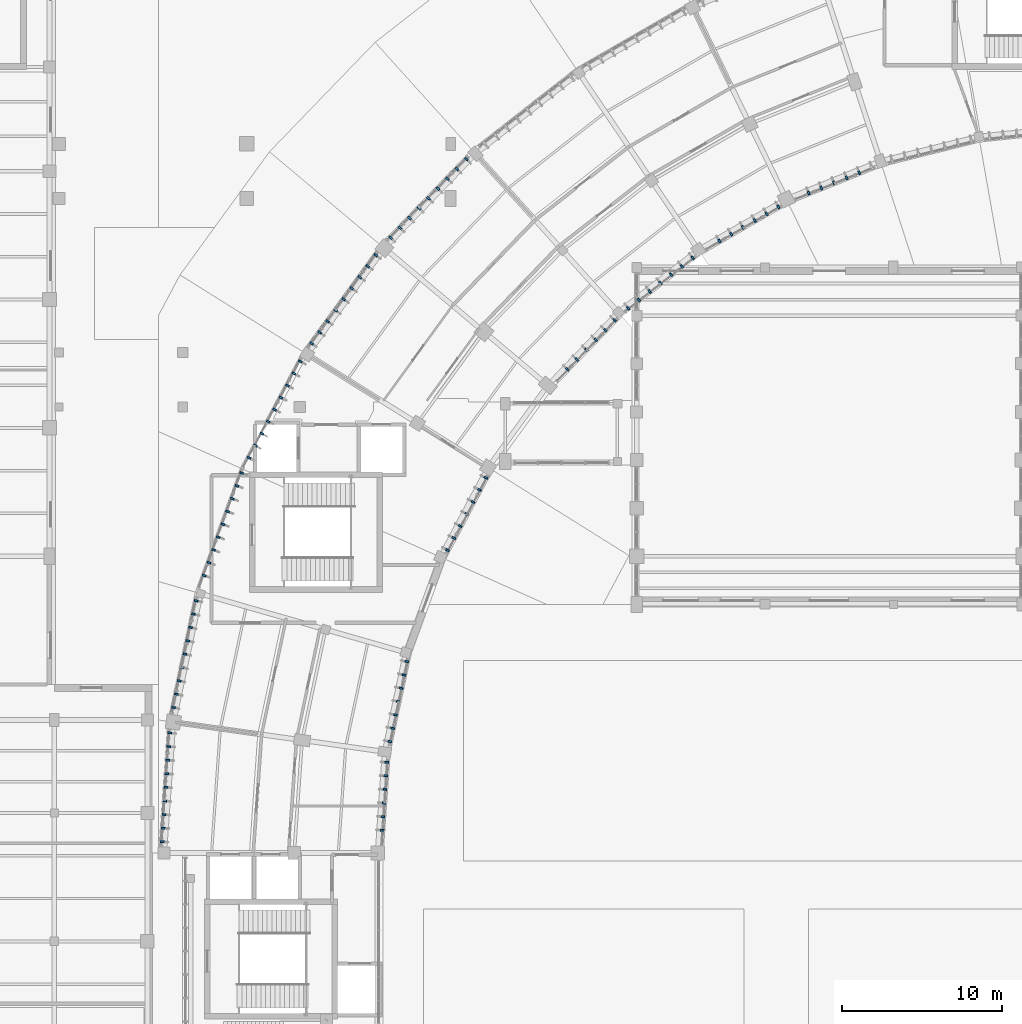
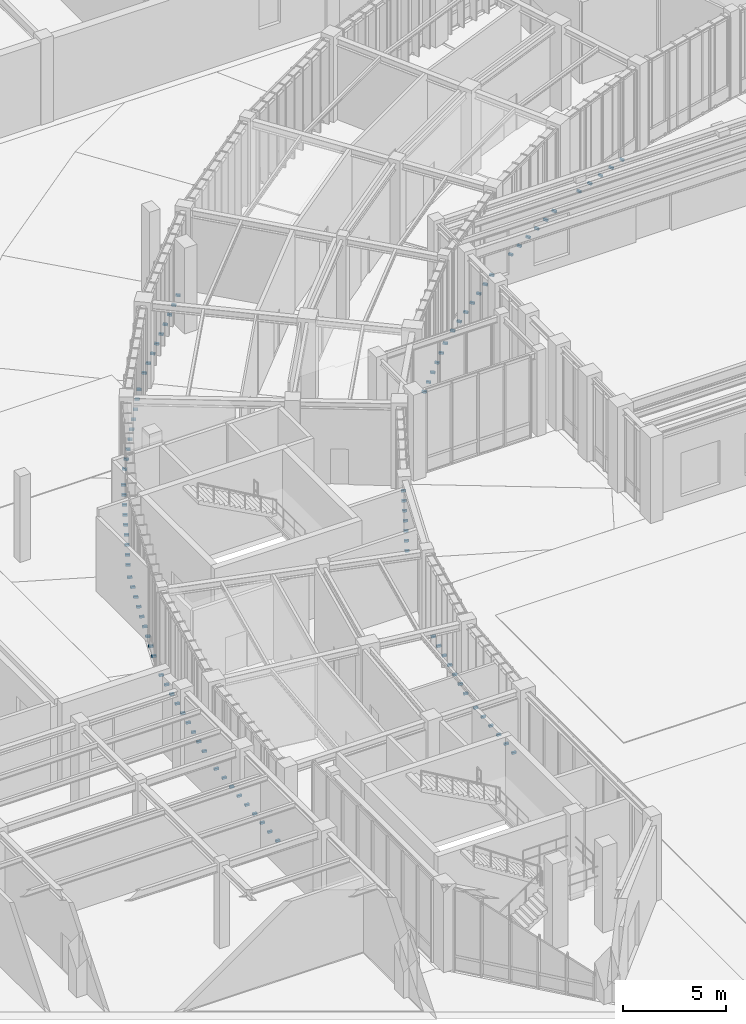
# One storey, part 52 of 68: 98 discrete accessories.
"""IFC4 building model written with IfcOpenShell, lengths in metres."""

from ifc_helpers import new_model, si_unit, direction, frame, origin, origin_2d, place, context, subcontext, project, spatial, rectangle, extrude, material, type_object, element, save


model = new_model("IFC4")

# Units and contexts
model_context = context("Model", 3, precision=1e-05, world=origin(), true_north=direction((0.0, 1.0)))
body_context = subcontext(model_context, "Body", "Model", "MODEL_VIEW")
ifc_project = project(units=[si_unit("LENGTHUNIT", "METRE"), si_unit("AREAUNIT", "SQUARE_METRE"), si_unit("VOLUMEUNIT", "CUBIC_METRE"), si_unit("PLANEANGLEUNIT", "RADIAN"), si_unit("MASSUNIT", "GRAM", prefix="KILO"), si_unit("THERMODYNAMICTEMPERATUREUNIT", "KELVIN"), si_unit("POWERUNIT", "WATT")], contexts=[model_context])

# Site, building, storey
site_placement = place(None, origin())
site = spatial("IfcSite", under=ifc_project, at=site_placement, CompositionType="ELEMENT")
building_placement = place(site_placement, origin())
building = spatial("IfcBuilding", under=site, at=building_placement, Name="Solvatero Civic Police Headquarters", CompositionType="ELEMENT")
storey_placement = place(building_placement, origin())
storey = spatial("IfcBuildingStorey", under=building, at=storey_placement, Name="L00", CompositionType="ELEMENT", Elevation=0.0)

# Discrete accessories
ifc_material = material(Name="Steel S355", Category="steel")
discrete_accessory_type = type_object("IfcDiscreteAccessoryType", Name="ACC-BRK-FIN", PredefinedType="BRACKET", material=ifc_material)
for number, where, z_axis, x_axis, name in (
    (1, (78.671875, 68.406005859375, 0.0), (0.0, 0.0, 1.0), (-0.927183854567, -0.374606593416, 0.0), "Slab-Edge Fin Bracket 0041"),
    (2, (77.8837890625, 68.08740234375, 0.0), (0.0, 0.0, 1.0), (-0.927183854567, -0.374606593416, 0.0), "Slab-Edge Fin Bracket 0042"),
    (3, (77.095703125, 67.76904296875, 0.0), (0.0, 0.0, 1.0), (-0.927183854567, -0.374606593416, 0.0), "Slab-Edge Fin Bracket 0043"),
    (4, (76.3076171875, 67.45068359375, 0.0), (0.0, 0.0, 1.0), (-0.927183854567, -0.374606593416, 0.0), "Slab-Edge Fin Bracket 0044"),
    (5, (75.519287109375, 67.13232421875, 0.0), (0.0, 0.0, 1.0), (-0.927183854567, -0.374606593416, 0.0), "Slab-Edge Fin Bracket 0045"),
    (6, (73.6337890625, 66.2724609375, 0.0), (0.0, 0.0, 1.0), (-0.866025403784, -0.5, 0.0), "Slab-Edge Fin Bracket 0055"),
    (7, (72.897705078125, 65.847412109375, 0.0), (0.0, 0.0, 1.0), (-0.866025403784, -0.5, 0.0), "Slab-Edge Fin Bracket 0056"),
    (8, (72.161376953125, 65.422607421875, 0.0), (0.0, 0.0, 1.0), (-0.866025403784, -0.5, 0.0), "Slab-Edge Fin Bracket 0057"),
    (9, (71.42529296875, 64.99755859375, 0.0), (0.0, 0.0, 1.0), (-0.866025403784, -0.5, 0.0), "Slab-Edge Fin Bracket 0058"),
    (10, (70.689208984375, 64.572509765625, 0.0), (0.0, 0.0, 1.0), (-0.866025403784, -0.5, 0.0), "Slab-Edge Fin Bracket 0059"),
    (11, (69.953125, 64.1474609375, 0.0), (0.0, 0.0, 1.0), (-0.866025403784, -0.5, 0.0), "Slab-Edge Fin Bracket 0060"),
    (12, (68.2861328125, 63.09228515625, 0.0), (0.0, 0.0, 1.0), (-0.788010753607, -0.615661475326, 0.0), "Slab-Edge Fin Bracket 0070"),
    (13, (67.616455078125, 62.569091796875, 0.0), (0.0, 0.0, 1.0), (-0.788010753607, -0.615661475326, 0.0), "Slab-Edge Fin Bracket 0071"),
    (14, (66.946533203125, 62.045654296875, 0.0), (0.0, 0.0, 1.0), (-0.788010753607, -0.615661475326, 0.0), "Slab-Edge Fin Bracket 0072"),
    (15, (66.27685546875, 61.522216796875, 0.0), (0.0, 0.0, 1.0), (-0.788010753607, -0.615661475326, 0.0), "Slab-Edge Fin Bracket 0073"),
    (16, (65.60693359375, 60.9990234375, 0.0), (0.0, 0.0, 1.0), (-0.788010753607, -0.615661475326, 0.0), "Slab-Edge Fin Bracket 0074"),
    (17, (64.937255859375, 60.4755859375, 0.0), (0.0, 0.0, 1.0), (-0.788010753607, -0.615661475326, 0.0), "Slab-Edge Fin Bracket 0075"),
    (18, (64.267333984375, 59.952392578125, 0.0), (0.0, 0.0, 1.0), (-0.788010753607, -0.615661475326, 0.0), "Slab-Edge Fin Bracket 0076"),
    (19, (54.181884765625, 69.249755859375, 0.0), (0.0, 0.0, 1.0), (-0.694658370459, -0.719339800339, 0.0), "Slab-Edge Fin Bracket 0077"),
    (20, (53.59130859375, 68.63818359375, 0.0), (0.0, 0.0, 1.0), (-0.694658370459, -0.719339800339, 0.0), "Slab-Edge Fin Bracket 0078"),
    (21, (53.0009765625, 68.02685546875, 0.0), (0.0, 0.0, 1.0), (-0.694658370459, -0.719339800339, 0.0), "Slab-Edge Fin Bracket 0079"),
    (22, (52.410400390625, 67.415283203125, 0.0), (0.0, 0.0, 1.0), (-0.694658370459, -0.719339800339, 0.0), "Slab-Edge Fin Bracket 0080"),
    (23, (51.820068359375, 66.803955078125, 0.0), (0.0, 0.0, 1.0), (-0.694658370459, -0.719339800339, 0.0), "Slab-Edge Fin Bracket 0081"),
    (24, (51.2294921875, 66.1923828125, 0.0), (0.0, 0.0, 1.0), (-0.694658370459, -0.719339800339, 0.0), "Slab-Edge Fin Bracket 0082"),
    (25, (50.63916015625, 65.5810546875, 0.0), (0.0, 0.0, 1.0), (-0.694658370459, -0.719339800339, 0.0), "Slab-Edge Fin Bracket 0083"),
    (26, (50.048583984375, 64.969482421875, 0.0), (0.0, 0.0, 1.0), (-0.694658370459, -0.719339800339, 0.0), "Slab-Edge Fin Bracket 0084"),
    (27, (49.458251953125, 64.358154296875, 0.0), (0.0, 0.0, 1.0), (-0.694658370459, -0.719339800339, 0.0), "Slab-Edge Fin Bracket 0085"),
    (28, (63.42626953125, 59.20654296875, 0.0), (0.0, 0.0, 1.0), (-0.694658370459, -0.719339800339, 0.0), "Slab-Edge Fin Bracket 0086"),
    (29, (62.835693359375, 58.594970703125, 0.0), (0.0, 0.0, 1.0), (-0.694658370459, -0.719339800339, 0.0), "Slab-Edge Fin Bracket 0087"),
    (30, (62.245361328125, 57.983642578125, 0.0), (0.0, 0.0, 1.0), (-0.694658370459, -0.719339800339, 0.0), "Slab-Edge Fin Bracket 0088"),
    (31, (61.65478515625, 57.3720703125, 0.0), (0.0, 0.0, 1.0), (-0.694658370459, -0.719339800339, 0.0), "Slab-Edge Fin Bracket 0089"),
    (32, (61.064453125, 56.7607421875, 0.0), (0.0, 0.0, 1.0), (-0.694658370459, -0.719339800339, 0.0), "Slab-Edge Fin Bracket 0090"),
    (33, (60.473876953125, 56.1494140625, 0.0), (0.0, 0.0, 1.0), (-0.694658370459, -0.719339800339, 0.0), "Slab-Edge Fin Bracket 0091"),
    (34, (48.535400390625, 63.26708984375, 0.0), (0.0, 0.0, 1.0), (-0.587785252292, -0.809016994375, 0.0), "Slab-Edge Fin Bracket 0092"),
    (35, (48.035888671875, 62.579345703125, 0.0), (0.0, 0.0, 1.0), (-0.587785252292, -0.809016994375, 0.0), "Slab-Edge Fin Bracket 0093"),
    (36, (47.536376953125, 61.8916015625, 0.0), (0.0, 0.0, 1.0), (-0.587785252292, -0.809016994375, 0.0), "Slab-Edge Fin Bracket 0094"),
    (37, (47.03662109375, 61.2041015625, 0.0), (0.0, 0.0, 1.0), (-0.587785252292, -0.809016994375, 0.0), "Slab-Edge Fin Bracket 0095"),
    (38, (46.537109375, 60.516357421875, 0.0), (0.0, 0.0, 1.0), (-0.587785252292, -0.809016994375, 0.0), "Slab-Edge Fin Bracket 0096"),
    (39, (46.037353515625, 59.82861328125, 0.0), (0.0, 0.0, 1.0), (-0.587785252292, -0.809016994375, 0.0), "Slab-Edge Fin Bracket 0097"),
    (40, (45.537841796875, 59.14111328125, 0.0), (0.0, 0.0, 1.0), (-0.587785252292, -0.809016994375, 0.0), "Slab-Edge Fin Bracket 0098"),
    (41, (45.0380859375, 58.453369140625, 0.0), (0.0, 0.0, 1.0), (-0.587785252292, -0.809016994375, 0.0), "Slab-Edge Fin Bracket 0099"),
    (42, (44.53857421875, 57.765625, 0.0), (0.0, 0.0, 1.0), (-0.587785252292, -0.809016994375, 0.0), "Slab-Edge Fin Bracket 0100"),
    (43, (43.82666015625, 56.64306640625, 0.0), (0.0, 0.0, 1.0), (-0.469471562786, -0.882947592859, 0.0), "Slab-Edge Fin Bracket 0101"),
    (44, (43.427490234375, 55.892578125, 0.0), (0.0, 0.0, 1.0), (-0.469471562786, -0.882947592859, 0.0), "Slab-Edge Fin Bracket 0102"),
    (45, (43.0283203125, 55.14208984375, 0.0), (0.0, 0.0, 1.0), (-0.469471562786, -0.882947592859, 0.0), "Slab-Edge Fin Bracket 0103"),
    (46, (42.62939453125, 54.3916015625, 0.0), (0.0, 0.0, 1.0), (-0.469471562786, -0.882947592859, 0.0), "Slab-Edge Fin Bracket 0104"),
    (47, (42.230224609375, 53.64111328125, 0.0), (0.0, 0.0, 1.0), (-0.469471562786, -0.882947592859, 0.0), "Slab-Edge Fin Bracket 0105"),
    (48, (41.831298828125, 52.890625, 0.0), (0.0, 0.0, 1.0), (-0.469471562786, -0.882947592859, 0.0), "Slab-Edge Fin Bracket 0106"),
    (49, (41.43212890625, 52.14013671875, 0.0), (0.0, 0.0, 1.0), (-0.469471562786, -0.882947592859, 0.0), "Slab-Edge Fin Bracket 0107"),
    (50, (41.033203125, 51.3896484375, 0.0), (0.0, 0.0, 1.0), (-0.469471562786, -0.882947592859, 0.0), "Slab-Edge Fin Bracket 0108"),
    (51, (40.634033203125, 50.63916015625, 0.0), (0.0, 0.0, 1.0), (-0.469471562786, -0.882947592859, 0.0), "Slab-Edge Fin Bracket 0109"),
    (52, (55.39892578125, 49.38232421875, 0.0), (0.0, 0.0, 1.0), (-0.469486973057, -0.8829393989, 0.0), "Slab-Edge Fin Bracket 0110"),
    (53, (55.0, 48.6318359375, 0.0), (0.0, 0.0, 1.0), (-0.469486973057, -0.8829393989, 0.0), "Slab-Edge Fin Bracket 0111"),
    (54, (54.600830078125, 47.88134765625, 0.0), (0.0, 0.0, 1.0), (-0.469486973057, -0.8829393989, 0.0), "Slab-Edge Fin Bracket 0112"),
    (55, (54.201904296875, 47.130859375, 0.0), (0.0, 0.0, 1.0), (-0.469486973057, -0.8829393989, 0.0), "Slab-Edge Fin Bracket 0113"),
    (56, (53.802734375, 46.38037109375, 0.0), (0.0, 0.0, 1.0), (-0.469486973057, -0.8829393989, 0.0), "Slab-Edge Fin Bracket 0114"),
    (57, (53.40380859375, 45.6298828125, 0.0), (0.0, 0.0, 1.0), (-0.469486973057, -0.8829393989, 0.0), "Slab-Edge Fin Bracket 0115"),
    (58, (53.004638671875, 44.87939453125, 0.0), (0.0, 0.0, 1.0), (-0.469486973057, -0.8829393989, 0.0), "Slab-Edge Fin Bracket 0116"),
    (59, (40.16845703125, 49.687255859375, 0.0), (0.0, 0.0, 1.0), (-0.342003742543, -0.93969859002, 0.0), "Slab-Edge Fin Bracket 0117"),
    (60, (39.877685546875, 48.888427734375, 0.0), (0.0, 0.0, 1.0), (-0.342003742543, -0.93969859002, 0.0), "Slab-Edge Fin Bracket 0118"),
    (61, (39.587158203125, 48.08984375, 0.0), (0.0, 0.0, 1.0), (-0.342003742543, -0.93969859002, 0.0), "Slab-Edge Fin Bracket 0119"),
    (62, (39.29638671875, 47.291015625, 0.0), (0.0, 0.0, 1.0), (-0.342003742543, -0.93969859002, 0.0), "Slab-Edge Fin Bracket 0120"),
    (63, (39.005615234375, 46.4921875, 0.0), (0.0, 0.0, 1.0), (-0.342003742543, -0.93969859002, 0.0), "Slab-Edge Fin Bracket 0121"),
    (64, (38.71484375, 45.693603515625, 0.0), (0.0, 0.0, 1.0), (-0.342003742543, -0.93969859002, 0.0), "Slab-Edge Fin Bracket 0122"),
    (65, (38.42431640625, 44.894775390625, 0.0), (0.0, 0.0, 1.0), (-0.342003742543, -0.93969859002, 0.0), "Slab-Edge Fin Bracket 0123"),
    (66, (38.133544921875, 44.09619140625, 0.0), (0.0, 0.0, 1.0), (-0.342003742543, -0.93969859002, 0.0), "Slab-Edge Fin Bracket 0124"),
    (67, (37.8427734375, 43.29736328125, 0.0), (0.0, 0.0, 1.0), (-0.342003742543, -0.93969859002, 0.0), "Slab-Edge Fin Bracket 0125"),
    (68, (37.344482421875, 41.72412109375, 0.0), (0.0, 0.0, 1.0), (-0.207911690818, -0.978147600734, 0.0), "Slab-Edge Fin Bracket 0126"),
    (69, (37.16796875, 40.892578125, 0.0), (0.0, 0.0, 1.0), (-0.207911690818, -0.978147600734, 0.0), "Slab-Edge Fin Bracket 0127"),
    (70, (36.9912109375, 40.061279296875, 0.0), (0.0, 0.0, 1.0), (-0.207911690818, -0.978147600734, 0.0), "Slab-Edge Fin Bracket 0128"),
    (71, (36.814453125, 39.22998046875, 0.0), (0.0, 0.0, 1.0), (-0.207911690818, -0.978147600734, 0.0), "Slab-Edge Fin Bracket 0129"),
    (72, (36.6376953125, 38.3984375, 0.0), (0.0, 0.0, 1.0), (-0.207911690818, -0.978147600734, 0.0), "Slab-Edge Fin Bracket 0130"),
    (73, (36.4609375, 37.56689453125, 0.0), (0.0, 0.0, 1.0), (-0.207911690818, -0.978147600734, 0.0), "Slab-Edge Fin Bracket 0131"),
    (74, (36.2841796875, 36.735595703125, 0.0), (0.0, 0.0, 1.0), (-0.207911690818, -0.978147600734, 0.0), "Slab-Edge Fin Bracket 0132"),
    (75, (36.107421875, 35.904296875, 0.0), (0.0, 0.0, 1.0), (-0.207911690818, -0.978147600734, 0.0), "Slab-Edge Fin Bracket 0133"),
    (76, (35.930908203125, 35.07275390625, 0.0), (0.0, 0.0, 1.0), (-0.207911690818, -0.978147600734, 0.0), "Slab-Edge Fin Bracket 0134"),
    (77, (50.469970703125, 37.934814453125, 0.0), (0.0, 0.0, 1.0), (-0.207911690818, -0.978147600734, 0.0), "Slab-Edge Fin Bracket 0135"),
    (78, (50.293212890625, 37.103271484375, 0.0), (0.0, 0.0, 1.0), (-0.207911690818, -0.978147600734, 0.0), "Slab-Edge Fin Bracket 0136"),
    (79, (50.11669921875, 36.271728515625, 0.0), (0.0, 0.0, 1.0), (-0.207911690818, -0.978147600734, 0.0), "Slab-Edge Fin Bracket 0137"),
    (80, (49.939697265625, 35.4404296875, 0.0), (0.0, 0.0, 1.0), (-0.207911690818, -0.978147600734, 0.0), "Slab-Edge Fin Bracket 0138"),
    (81, (49.76318359375, 34.60888671875, 0.0), (0.0, 0.0, 1.0), (-0.207911690818, -0.978147600734, 0.0), "Slab-Edge Fin Bracket 0139"),
    (82, (49.58642578125, 33.777587890625, 0.0), (0.0, 0.0, 1.0), (-0.207911690818, -0.978147600734, 0.0), "Slab-Edge Fin Bracket 0140"),
    (83, (49.40966796875, 32.946044921875, 0.0), (0.0, 0.0, 1.0), (-0.207911690818, -0.978147600734, 0.0), "Slab-Edge Fin Bracket 0141"),
    (84, (35.693603515625, 33.48681640625, 0.0), (0.0, 0.0, 1.0), (-0.069756473744, -0.99756405026, 0.0), "Slab-Edge Fin Bracket 0142"),
    (85, (35.63427734375, 32.638916015625, 0.0), (0.0, 0.0, 1.0), (-0.069756473744, -0.99756405026, 0.0), "Slab-Edge Fin Bracket 0143"),
    (86, (35.574951171875, 31.790771484375, 0.0), (0.0, 0.0, 1.0), (-0.069756473744, -0.99756405026, 0.0), "Slab-Edge Fin Bracket 0144"),
    (87, (35.515869140625, 30.94287109375, 0.0), (0.0, 0.0, 1.0), (-0.069756473744, -0.99756405026, 0.0), "Slab-Edge Fin Bracket 0145"),
    (88, (35.45654296875, 30.094970703125, 0.0), (0.0, 0.0, 1.0), (-0.069756473744, -0.99756405026, 0.0), "Slab-Edge Fin Bracket 0146"),
    (89, (35.397216796875, 29.2470703125, 0.0), (0.0, 0.0, 1.0), (-0.069756473744, -0.99756405026, 0.0), "Slab-Edge Fin Bracket 0147"),
    (90, (35.337890625, 28.399169921875, 0.0), (0.0, 0.0, 1.0), (-0.069756473744, -0.99756405026, 0.0), "Slab-Edge Fin Bracket 0148"),
    (91, (35.278564453125, 27.55126953125, 0.0), (0.0, 0.0, 1.0), (-0.069756473744, -0.99756405026, 0.0), "Slab-Edge Fin Bracket 0149"),
    (92, (35.21923828125, 26.703369140625, 0.0), (0.0, 0.0, 1.0), (-0.069756473744, -0.99756405026, 0.0), "Slab-Edge Fin Bracket 0150"),
    (93, (49.2255859375, 31.660400390625, 0.0), (0.0, 0.0, 1.0), (-0.069756473744, -0.99756405026, 0.0), "Slab-Edge Fin Bracket 0151"),
    (94, (49.16650390625, 30.8125, 0.0), (0.0, 0.0, 1.0), (-0.069756473744, -0.99756405026, 0.0), "Slab-Edge Fin Bracket 0152"),
    (95, (49.107177734375, 29.964599609375, 0.0), (0.0, 0.0, 1.0), (-0.069756473744, -0.99756405026, 0.0), "Slab-Edge Fin Bracket 0153"),
    (96, (49.0478515625, 29.11669921875, 0.0), (0.0, 0.0, 1.0), (-0.069756473744, -0.99756405026, 0.0), "Slab-Edge Fin Bracket 0154"),
    (97, (48.988525390625, 28.268798828125, 0.0), (0.0, 0.0, 1.0), (-0.069756473744, -0.99756405026, 0.0), "Slab-Edge Fin Bracket 0155"),
    (98, (48.92919921875, 27.4208984375, 0.0), (0.0, 0.0, 1.0), (-0.069756473744, -0.99756405026, 0.0), "Slab-Edge Fin Bracket 0156"),
):
    element("IfcDiscreteAccessory", number, at=place(storey_placement, frame(where, z_axis=z_axis, x_axis=x_axis)), inside=storey, type_object=discrete_accessory_type, Name=name, PredefinedType="BRACKET", context=body_context, shape_type="SweptSolid", body=[
        extrude(rectangle(XDim=0.1201171875, YDim=0.239990234375, at=origin_2d()), origin(), (0.0, 0.0, 1.0), 0.1201171875),
    ])

save(model, "model.ifc")
